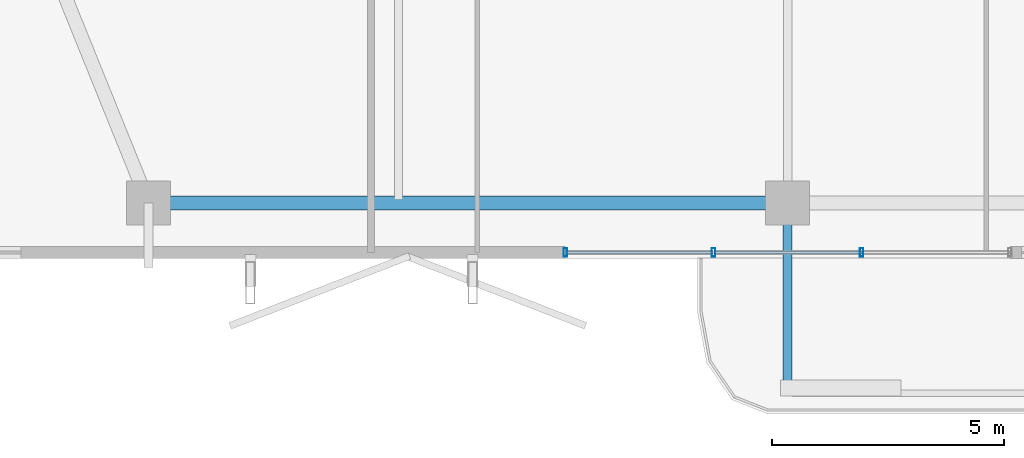
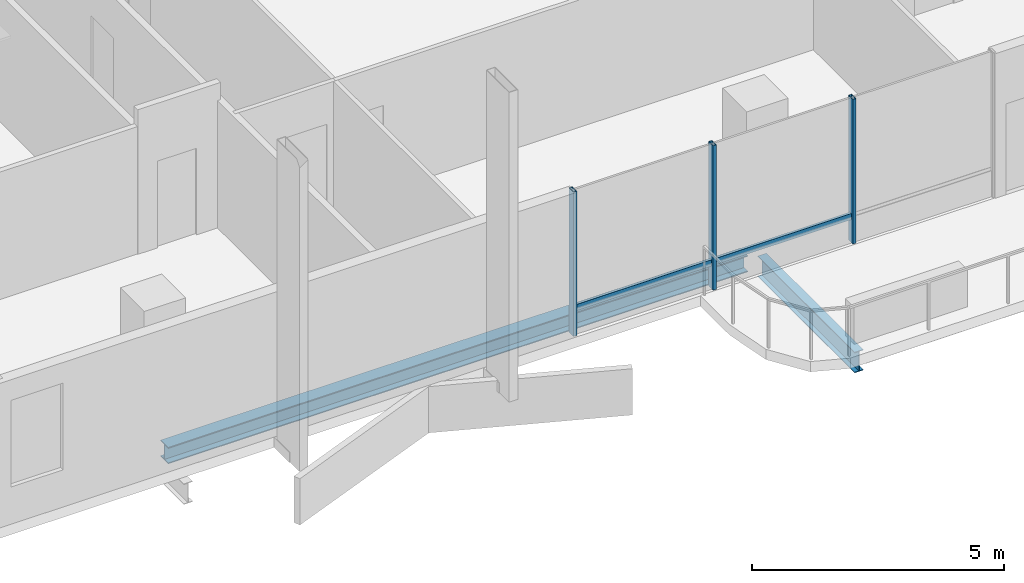
# One storey, part 2 of 25: 5 members, 2 beams, 1 element without a shape of its own.
"""IFC4 building model written with IfcOpenShell, lengths in metres."""

from ifc_helpers import new_model, si_unit, direction, frame, origin, origin_2d, place, context, subcontext, project, spatial, hollow_rectangle, i_section, extrude, material, layer, layer_set, material_profile, profile_set, type_object, element, aggregate, save


model = new_model("IFC4")

# Units and contexts
model_context = context("Model", 3, precision=1e-05, world=origin(), true_north=direction((0.0, 1.0)))
body_context = subcontext(model_context, "Body", "Model", "MODEL_VIEW")
ifc_project = project(units=[si_unit("LENGTHUNIT", "METRE"), si_unit("AREAUNIT", "SQUARE_METRE"), si_unit("VOLUMEUNIT", "CUBIC_METRE"), si_unit("PLANEANGLEUNIT", "RADIAN"), si_unit("MASSUNIT", "GRAM", prefix="KILO")], contexts=[model_context])

# Site, building, storey
site_placement = place(None, origin())
site = spatial("IfcSite", under=ifc_project, at=site_placement, CompositionType="ELEMENT")
building_placement = place(site_placement, origin())
building = spatial("IfcBuilding", under=site, at=building_placement, Name="Belovzor Exchange Tower", CompositionType="ELEMENT")
storey_placement = place(building_placement, frame((0.0, 0.0, 250.35009765625)))
storey = spatial("IfcBuildingStorey", under=building, at=storey_placement, Name="L62", CompositionType="ELEMENT", Elevation=250.35009765625)

# Beam
ifc_material_1 = material(Name="Steel S355", Category="steel")
ifc_material_profile_1 = material_profile(ifc_material_1, i_section(OverallWidth=0.199951171875, OverallDepth=0.5, WebThickness=0.01025390625, FlangeThickness=0.01611328125, at=origin_2d()))
ifc_profile_set_1 = profile_set([ifc_material_profile_1], Name="Steel S355")
beam_type_1 = type_object("IfcBeamType", Name="Planted Balcony Cantilever Beam IPE 500", PredefinedType="BEAM", material=ifc_profile_set_1)
beam_1_placement = place(storey_placement, frame((28.800048828125, 4.839111328125, -0.5), z_axis=(0.0, -1.0, 0.0), x_axis=(1.0, 0.0, 0.0)))
element("IfcBeam", 1, at=beam_1_placement, inside=storey, type_object=beam_type_1, Name="BC-500 Planted Balcony Cantilever Beam IPE 500", PredefinedType="BEAM", context=body_context, shape_type="SweptSolid", body=[
    extrude(i_section(OverallWidth=0.199951171875, OverallDepth=0.5, WebThickness=0.01025390625, FlangeThickness=0.01611328125, at=origin_2d()), origin(), (0.0, 0.0, 1.0), 3.85009765625),
])

# Curtain wall, members
ifc_material_2 = material(Name="Anodised Aluminium Framing", Category="aluminium")
ifc_layer = layer(ifc_material_2, 0.179931640625)
ifc_layer_set = layer_set([ifc_layer], Name="Anodised Aluminium Framing")
curtain_wall_type = type_object("IfcCurtainWallType", Name="Recessed Loggia Low-Iron Triple-Glazed Curtain Wall", PredefinedType="NOTDEFINED", material=ifc_layer_set)
curtain_wall_placement = place(storey_placement, origin())
curtain_wall = element("IfcCurtainWall", 2, at=curtain_wall_placement, inside=storey, type_object=curtain_wall_type, Name="CW3 Recessed Loggia Low-Iron Triple-Glazed Curtain Wall L62", PredefinedType="NOTDEFINED")
ifc_material_3 = material(Name="Steel S355", Category="steel")
ifc_material_profile_2 = material_profile(ifc_material_3, hollow_rectangle(XDim=0.074951171875, YDim=0.179931640625, WallThickness=0.0048828125, at=origin_2d()))
ifc_profile_set_2 = profile_set([ifc_material_profile_2], Name="Steel S355")
member_type_1 = type_object("IfcMemberType", Name="Thermally Broken Curtain Wall Mullion 180x75", PredefinedType="MULLION", material=ifc_profile_set_2)
member_1_placement = place(storey_placement, frame((30.39990234375, 4.030029296875, 0.0), z_axis=(0.0, 0.0, 1.0), x_axis=(-1.0, 0.0, 0.0)))
member_1 = element("IfcMember", 3, at=member_1_placement, type_object=member_type_1, Name="CW-M180 Curtain Wall Mullion 2", PredefinedType="MULLION", context=body_context, shape_type="SweptSolid", body=[
    extrude(hollow_rectangle(XDim=0.074951171875, YDim=0.179931640625, WallThickness=0.0048828125, at=origin_2d()), origin(), (0.0, 0.0, 1.0), 3.5),
])
member_2_placement = place(storey_placement, frame((27.199951171875, 4.030029296875, 0.0), z_axis=(0.0, 0.0, 1.0), x_axis=(-1.0, 0.0, 0.0)))
member_2 = element("IfcMember", 4, at=member_2_placement, type_object=member_type_1, Name="CW-M180 Curtain Wall Mullion 3", PredefinedType="MULLION", context=body_context, shape_type="SweptSolid", body=[
    extrude(hollow_rectangle(XDim=0.074951171875, YDim=0.179931640625, WallThickness=0.0048828125, at=origin_2d()), origin(), (0.0, 0.0, 1.0), 3.5),
])
member_3_placement = place(storey_placement, frame((24.0, 4.030029296875, 0.0), z_axis=(0.0, 0.0, 1.0), x_axis=(-1.0, 0.0, 0.0)))
member_3 = element("IfcMember", 5, at=member_3_placement, type_object=member_type_1, Name="CW-M180 Curtain Wall Mullion 4", PredefinedType="MULLION", context=body_context, shape_type="SweptSolid", body=[
    extrude(hollow_rectangle(XDim=0.074951171875, YDim=0.179931640625, WallThickness=0.0048828125, at=origin_2d()), origin(), (0.0, 0.0, 1.0), 3.5),
])
ifc_material_4 = material(Name="Steel S355", Category="steel")
ifc_material_profile_3 = material_profile(ifc_material_4, hollow_rectangle(XDim=0.06005859375, YDim=0.14990234375, WallThickness=0.00390625, at=origin_2d()))
ifc_profile_set_3 = profile_set([ifc_material_profile_3], Name="Steel S355")
member_type_2 = type_object("IfcMemberType", Name="Thermally Broken Curtain Wall Transom 150x60", PredefinedType="USERDEFINED", material=ifc_profile_set_3)
member_4_placement = place(storey_placement, frame((30.39208984375, 4.030029296875, 0.6298828125), z_axis=(-1.0, 0.0, 0.0), x_axis=(0.0, -1.0, 0.0)))
member_4 = element("IfcMember", 6, at=member_4_placement, type_object=member_type_2, Name="CW-T150 Curtain Wall Transom 2", ObjectType="TRANSOM", PredefinedType="USERDEFINED", context=body_context, shape_type="SweptSolid", body=[
    extrude(hollow_rectangle(XDim=0.06005859375, YDim=0.14990234375, WallThickness=0.00390625, at=origin_2d()), origin(), (0.0, 0.0, 1.0), 3.18408203125),
])
member_5_placement = place(storey_placement, frame((27.19189453125, 4.030029296875, 0.6298828125), z_axis=(-1.0, 0.0, 0.0), x_axis=(0.0, -1.0, 0.0)))
member_5 = element("IfcMember", 7, at=member_5_placement, type_object=member_type_2, Name="CW-T150 Curtain Wall Transom 3", ObjectType="TRANSOM", PredefinedType="USERDEFINED", context=body_context, shape_type="SweptSolid", body=[
    extrude(hollow_rectangle(XDim=0.06005859375, YDim=0.14990234375, WallThickness=0.00390625, at=origin_2d()), origin(), (0.0, 0.0, 1.0), 3.183837890625),
])
aggregate(curtain_wall, [member_1, member_2, member_3, member_4, member_5])

# Beam
ifc_material_5 = material(Name="Steel S355", Category="steel")
ifc_material_profile_4 = material_profile(ifc_material_5, i_section(OverallWidth=0.300048828125, OverallDepth=0.39990234375, WebThickness=0.013427734375, FlangeThickness=0.02392578125, at=origin_2d()))
ifc_profile_set_4 = profile_set([ifc_material_profile_4], Name="Steel S355")
beam_type_2 = type_object("IfcBeamType", Name="Zone 5 Primary Girder HEB 400", PredefinedType="BEAM", material=ifc_profile_set_4)
beam_2_placement = place(storey_placement, frame((15.260986328125, 5.10009765625, -0.4501953125), z_axis=(1.0, 0.0, 0.0), x_axis=(0.0, 1.0, 0.0)))
element("IfcBeam", 8, at=beam_2_placement, inside=storey, type_object=beam_type_2, Name="FG-Z5 Zone 5 Primary Girder HEB 400", PredefinedType="BEAM", context=body_context, shape_type="SweptSolid", body=[
    extrude(i_section(OverallWidth=0.300048828125, OverallDepth=0.39990234375, WebThickness=0.013427734375, FlangeThickness=0.02392578125, at=origin_2d()), origin(), (0.0, 0.0, 1.0), 13.278076171875),
])

save(model, "model.ifc")
